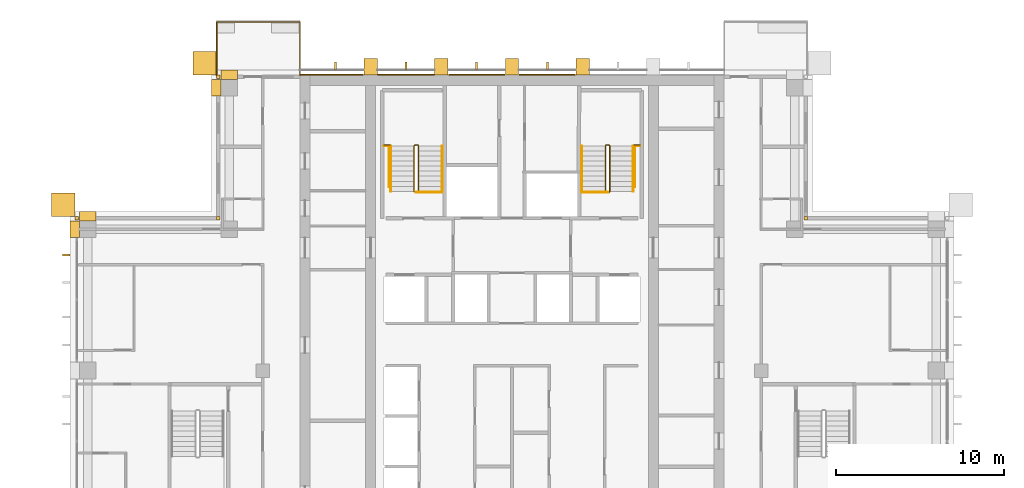
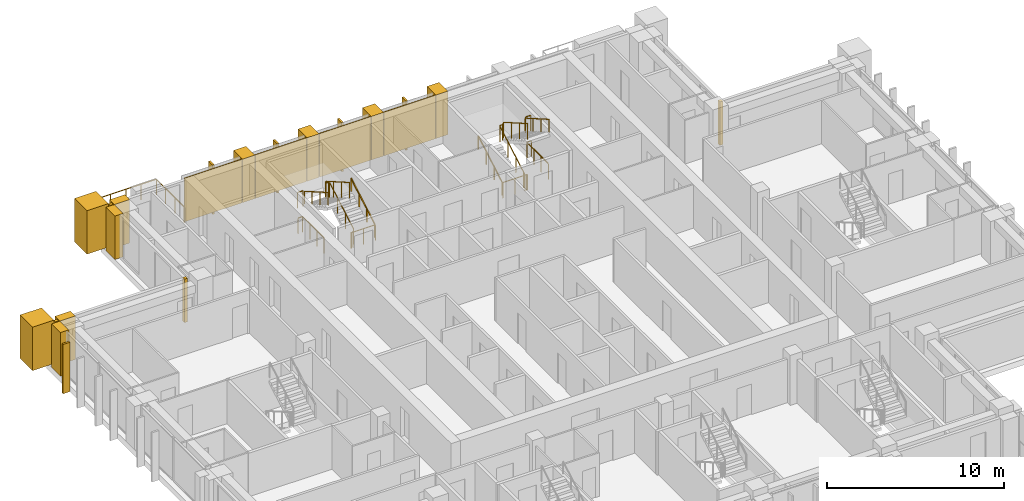
# One storey, part 18 of 19: 23 coverings, 13 railings.
"""IFC4 building model written with IfcOpenShell, lengths in metres."""

from ifc_helpers import new_model, si_unit, direction, frame, origin, origin_2d, place, context, subcontext, project, spatial, polyline, rectangle, outline, extrude, material, layer, layer_set, type_object, element, save


model = new_model("IFC4")

# Units and contexts
model_context = context("Model", 3, precision=1e-05, world=origin(), true_north=direction((0.0, 1.0)))
body_context = subcontext(model_context, "Body", "Model", "MODEL_VIEW")
ifc_project = project(units=[si_unit("LENGTHUNIT", "METRE"), si_unit("AREAUNIT", "SQUARE_METRE"), si_unit("VOLUMEUNIT", "CUBIC_METRE"), si_unit("PLANEANGLEUNIT", "RADIAN"), si_unit("MASSUNIT", "GRAM", prefix="KILO")], contexts=[model_context])

# Site, building, storey
site_placement = place(None, origin())
site = spatial("IfcSite", under=ifc_project, at=site_placement, CompositionType="ELEMENT")
building_placement = place(site_placement, origin())
building = spatial("IfcBuilding", under=site, at=building_placement, Name="Vermilion Ogive Tower", CompositionType="ELEMENT")
storey_placement = place(building_placement, frame((0.0, 0.0, 213.5)))
storey = spatial("IfcBuildingStorey", under=building, at=storey_placement, Name="L56", CompositionType="ELEMENT", Elevation=213.5)

# Railing
ifc_material_1 = material(Name="Stainless steel and glass", Category="steel")
railing_type_1 = type_object("IfcRailingType", Name="Balcony guard", PredefinedType="GUARDRAIL", material=ifc_material_1)
railing_1_placement = place(storey_placement, frame((-12.60009765625, 21.75, -0.0400390625)))
element("IfcRailing", 1, at=railing_1_placement, inside=storey, type_object=railing_type_1, Name="Guard N201", PredefinedType="GUARDRAIL", context=body_context, shape_type="SweptSolid", body=[
    extrude(rectangle(XDim=0.048095703125, YDim=0.048095703125, at=origin_2d()), frame((0.0, 0.0, 1.076171875), z_axis=(0.0, 1.0, 0.0), x_axis=(-1.0, 0.0, 0.0)), (0.0, 0.0, 1.0), 3.159912109375),
    extrude(rectangle(XDim=0.048095703125, YDim=0.048095703125, at=origin_2d()), frame((0.0, 3.159912109375, 1.076171875), z_axis=(-1.0, 0.0, 0.0), x_axis=(0.0, -1.0, 0.0)), (0.0, 0.0, 1.0), 4.949951171875),
    extrude(rectangle(XDim=0.048095703125, YDim=0.048095703125, at=origin_2d()), frame((-4.949951171875, 3.159912109375, 1.076171875), z_axis=(0.0, -1.0, 0.0), x_axis=(1.0, 0.0, 0.0)), (0.0, 0.0, 1.0), 3.159912109375),
    extrude(rectangle(XDim=0.0419921875, YDim=0.0419921875, at=origin_2d()), origin(), (0.0, 0.0, 1.0), 1.052001953125),
    extrude(rectangle(XDim=0.0419921875, YDim=0.0419921875, at=origin_2d()), frame((0.0, 1.05322265625, 0.0)), (0.0, 0.0, 1.0), 1.052001953125),
    extrude(rectangle(XDim=0.0419921875, YDim=0.0419921875, at=origin_2d()), frame((0.0, 2.106689453125, 0.0)), (0.0, 0.0, 1.0), 1.052001953125),
    extrude(rectangle(XDim=0.0419921875, YDim=0.0419921875, at=origin_2d()), frame((0.0, 3.159912109375, 0.0)), (0.0, 0.0, 1.0), 1.052001953125),
    extrude(rectangle(XDim=0.0419921875, YDim=0.0419921875, at=origin_2d()), frame((-0.989990234375, 3.159912109375, 0.0)), (0.0, 0.0, 1.0), 1.052001953125),
    extrude(rectangle(XDim=0.0419921875, YDim=0.0419921875, at=origin_2d()), frame((-1.97998046875, 3.159912109375, 0.0)), (0.0, 0.0, 1.0), 1.052001953125),
    extrude(rectangle(XDim=0.0419921875, YDim=0.0419921875, at=origin_2d()), frame((-2.969970703125, 3.159912109375, 0.0)), (0.0, 0.0, 1.0), 1.052001953125),
    extrude(rectangle(XDim=0.0419921875, YDim=0.0419921875, at=origin_2d()), frame((-3.9599609375, 3.159912109375, 0.0)), (0.0, 0.0, 1.0), 1.052001953125),
    extrude(rectangle(XDim=0.0419921875, YDim=0.0419921875, at=origin_2d()), frame((-4.949951171875, 3.159912109375, 0.0)), (0.0, 0.0, 1.0), 1.052001953125),
    extrude(rectangle(XDim=0.0419921875, YDim=0.0419921875, at=origin_2d()), frame((-4.949951171875, 2.106689453125, 0.0)), (0.0, 0.0, 1.0), 1.052001953125),
    extrude(rectangle(XDim=0.0419921875, YDim=0.0419921875, at=origin_2d()), frame((-4.949951171875, 1.05322265625, 0.0)), (0.0, 0.0, 1.0), 1.052001953125),
    extrude(rectangle(XDim=0.0419921875, YDim=0.0419921875, at=origin_2d()), frame((-4.949951171875, 0.0, 0.0)), (0.0, 0.0, 1.0), 1.052001953125),
])

# Coverings
ifc_material_2 = material(Name="Glazed ceramic screen")
ifc_layer = layer(ifc_material_2, 0.14990234375)
ifc_layer_set = layer_set([ifc_layer], Name="Ceramic solar screen fin")
covering_type_1 = type_object("IfcCoveringType", Name="Ceramic solar screen fin", PredefinedType="CLADDING", material=ifc_layer_set)
covering_1_placement = place(storey_placement, frame((0.0, 0.0, -0.39990234375)))
element("IfcCovering", 2, at=covering_1_placement, inside=storey, type_object=covering_type_1, Name="Solar screen blade W021", PredefinedType="CLADDING", context=body_context, shape_type="SweptSolid", body=[
    extrude(outline(polyline([(-26.699951171875, 11.135009765625), (-26.699951171875, 11.014892578125), (-26.25, 11.014892578125), (-26.25, 11.135009765625), (-26.699951171875, 11.135009765625)])), origin(), (0.0, 0.0, 1.0), 3.39990234375),
])
covering_2_placement = place(storey_placement, frame((0.0, 0.0, -0.39990234375)))
element("IfcCovering", 3, at=covering_2_placement, inside=storey, type_object=covering_type_1, Name="Solar screen blade N1", PredefinedType="CLADDING", context=body_context, shape_type="SweptSolid", body=[
    extrude(outline(polyline([(-10.56005859375, 22.08203125), (-10.43994140625, 22.08203125), (-10.43994140625, 22.531982421875), (-10.56005859375, 22.531982421875), (-10.56005859375, 22.08203125)])), origin(), (0.0, 0.0, 1.0), 3.39990234375),
])
covering_3_placement = place(storey_placement, frame((0.0, 0.0, -0.39990234375)))
element("IfcCovering", 4, at=covering_3_placement, inside=storey, type_object=covering_type_1, Name="Solar screen blade N2", PredefinedType="CLADDING", context=body_context, shape_type="SweptSolid", body=[
    extrude(outline(polyline([(-6.360107421875, 22.08203125), (-6.239990234375, 22.08203125), (-6.239990234375, 22.531982421875), (-6.360107421875, 22.531982421875), (-6.360107421875, 22.08203125)])), origin(), (0.0, 0.0, 1.0), 3.39990234375),
])
covering_4_placement = place(storey_placement, frame((0.0, 0.0, -0.39990234375)))
element("IfcCovering", 5, at=covering_4_placement, inside=storey, type_object=covering_type_1, Name="Solar screen blade N3", PredefinedType="CLADDING", context=body_context, shape_type="SweptSolid", body=[
    extrude(outline(polyline([(-2.159912109375, 22.08203125), (-2.0400390625, 22.08203125), (-2.0400390625, 22.531982421875), (-2.159912109375, 22.531982421875), (-2.159912109375, 22.08203125)])), origin(), (0.0, 0.0, 1.0), 3.39990234375),
])
covering_5_placement = place(storey_placement, frame((0.0, 0.0, -0.39990234375)))
element("IfcCovering", 6, at=covering_5_placement, inside=storey, type_object=covering_type_1, Name="Solar screen blade N4", PredefinedType="CLADDING", context=body_context, shape_type="SweptSolid", body=[
    extrude(outline(polyline([(2.0400390625, 22.08203125), (2.159912109375, 22.08203125), (2.159912109375, 22.531982421875), (2.0400390625, 22.531982421875), (2.0400390625, 22.08203125)])), origin(), (0.0, 0.0, 1.0), 3.39990234375),
])

# Railings
ifc_material_3 = material(Name="Steel S355 painted", Category="steel")
railing_type_2 = type_object("IfcRailingType", Name="Stair guard 1100", PredefinedType="GUARDRAIL", material=ifc_material_3)
railing_2_placement = place(storey_placement, frame((-5.75, 14.800048828125, 0.0)))
element("IfcRailing", 7, at=railing_2_placement, inside=storey, type_object=railing_type_2, Name="L56 ST1 stair guard 4", PredefinedType="GUARDRAIL", context=body_context, shape_type="SweptSolid", body=[
    extrude(rectangle(XDim=0.048095703125, YDim=0.048095703125, at=origin_2d()), frame((0.0, 0.0, 1.076171875), z_axis=(1.0, 0.0, 0.0), x_axis=(0.0, 1.0, 0.0)), (0.0, 0.0, 1.0), 0.14990234375),
    extrude(rectangle(XDim=0.048095703125, YDim=0.048095703125, at=origin_2d()), frame((0.14990234375, 0.0, 1.076171875), z_axis=(0.268277960024, 0.268277960024, 0.925231793839), x_axis=(-0.707106781187, 0.707106781187, 0.0)), (0.0, 0.0, 1.0), 0.1865234375),
    extrude(rectangle(XDim=0.048095703125, YDim=0.048095703125, at=origin_2d()), frame((0.199951171875, 0.050048828125, 1.24853515625), z_axis=(0.0, 0.866903762492, 0.498475542607), x_axis=(-1.0, 0.0, 0.0)), (0.0, 0.0, 1.0), 3.114501953125),
    extrude(rectangle(XDim=0.048095703125, YDim=0.048095703125, at=origin_2d()), frame((0.199951171875, 2.75, 2.80126953125), z_axis=(-0.707106781187, 0.707106781187, 0.0), x_axis=(-0.707106781187, -0.707106781187, 0.0)), (0.0, 0.0, 1.0), 0.07080078125),
    extrude(rectangle(XDim=0.048095703125, YDim=0.048095703125, at=origin_2d()), frame((0.14990234375, 2.800048828125, 2.80126953125), z_axis=(-1.0, 0.0, 0.0), x_axis=(0.0, -1.0, 0.0)), (0.0, 0.0, 1.0), 0.14990234375),
    extrude(rectangle(XDim=0.048095703125, YDim=0.048095703125, at=origin_2d()), frame((0.0, 2.800048828125, 2.80126953125), z_axis=(-0.268603158521, -0.268603158521, 0.925043072762), x_axis=(0.707106781187, -0.707106781187, 0.0)), (0.0, 0.0, 1.0), 0.186279296875),
    extrude(rectangle(XDim=0.048095703125, YDim=0.048095703125, at=origin_2d()), frame((-0.050048828125, 2.75, 2.9736328125), z_axis=(0.0, -0.866903762492, 0.498475542607), x_axis=(1.0, 0.0, 0.0)), (0.0, 0.0, 1.0), 3.114501953125),
    extrude(rectangle(XDim=0.0419921875, YDim=0.0419921875, at=origin_2d()), origin(), (0.0, 0.0, 1.0), 1.052001953125),
    extrude(rectangle(XDim=0.0419921875, YDim=0.0419921875, at=origin_2d()), frame((0.14990234375, 0.0, 0.0)), (0.0, 0.0, 1.0), 1.052001953125),
    extrude(rectangle(XDim=0.0419921875, YDim=0.0419921875, at=origin_2d()), frame((0.199951171875, 0.050048828125, 0.172607421875)), (0.0, 0.0, 1.0), 1.052001953125),
    extrude(rectangle(XDim=0.0419921875, YDim=0.0419921875, at=origin_2d()), frame((0.199951171875, 0.949951171875, 0.690185546875)), (0.0, 0.0, 1.0), 1.052001953125),
    extrude(rectangle(XDim=0.0419921875, YDim=0.0419921875, at=origin_2d()), frame((0.199951171875, 1.85009765625, 1.20751953125)), (0.0, 0.0, 1.0), 1.052001953125),
    extrude(rectangle(XDim=0.0419921875, YDim=0.0419921875, at=origin_2d()), frame((0.199951171875, 2.75, 1.72509765625)), (0.0, 0.0, 1.0), 1.052001953125),
    extrude(rectangle(XDim=0.0419921875, YDim=0.0419921875, at=origin_2d()), frame((0.14990234375, 2.800048828125, 1.72509765625)), (0.0, 0.0, 1.0), 1.052001953125),
    extrude(rectangle(XDim=0.0419921875, YDim=0.0419921875, at=origin_2d()), frame((0.0, 2.800048828125, 1.72509765625)), (0.0, 0.0, 1.0), 1.052001953125),
    extrude(rectangle(XDim=0.0419921875, YDim=0.0419921875, at=origin_2d()), frame((-0.050048828125, 2.75, 1.8974609375)), (0.0, 0.0, 1.0), 1.052001953125),
    extrude(rectangle(XDim=0.0419921875, YDim=0.0419921875, at=origin_2d()), frame((-0.050048828125, 1.85009765625, 2.4150390625)), (0.0, 0.0, 1.0), 1.052001953125),
    extrude(rectangle(XDim=0.0419921875, YDim=0.0419921875, at=origin_2d()), frame((-0.050048828125, 0.949951171875, 2.932373046875)), (0.0, 0.0, 1.0), 1.052001953125),
    extrude(rectangle(XDim=0.0419921875, YDim=0.0419921875, at=origin_2d()), frame((-0.050048828125, 0.050048828125, 3.449951171875)), (0.0, 0.0, 1.0), 1.052001953125),
])
railing_3_placement = place(storey_placement, frame((5.75, 14.800048828125, 0.0)))
element("IfcRailing", 8, at=railing_3_placement, inside=storey, type_object=railing_type_2, Name="L56 ST2 stair guard 4", PredefinedType="GUARDRAIL", context=body_context, shape_type="SweptSolid", body=[
    extrude(rectangle(XDim=0.048095703125, YDim=0.048095703125, at=origin_2d()), frame((0.0, 0.0, 1.076171875), z_axis=(-1.0, 0.0, 0.0), x_axis=(0.0, -1.0, 0.0)), (0.0, 0.0, 1.0), 0.14990234375),
    extrude(rectangle(XDim=0.048095703125, YDim=0.048095703125, at=origin_2d()), frame((-0.14990234375, 0.0, 1.076171875), z_axis=(-0.268277960024, 0.268277960024, 0.925231793839), x_axis=(-0.707106781187, -0.707106781187, 0.0)), (0.0, 0.0, 1.0), 0.1865234375),
    extrude(rectangle(XDim=0.048095703125, YDim=0.048095703125, at=origin_2d()), frame((-0.199951171875, 0.050048828125, 1.24853515625), z_axis=(0.0, 0.866903762492, 0.498475542607), x_axis=(-1.0, 0.0, 0.0)), (0.0, 0.0, 1.0), 3.114501953125),
    extrude(rectangle(XDim=0.048095703125, YDim=0.048095703125, at=origin_2d()), frame((-0.199951171875, 2.75, 2.80126953125), z_axis=(0.707106781187, 0.707106781187, 0.0), x_axis=(-0.707106781187, 0.707106781187, 0.0)), (0.0, 0.0, 1.0), 0.07080078125),
    extrude(rectangle(XDim=0.048095703125, YDim=0.048095703125, at=origin_2d()), frame((-0.14990234375, 2.800048828125, 2.80126953125), z_axis=(1.0, 0.0, 0.0), x_axis=(0.0, 1.0, 0.0)), (0.0, 0.0, 1.0), 0.14990234375),
    extrude(rectangle(XDim=0.048095703125, YDim=0.048095703125, at=origin_2d()), frame((0.0, 2.800048828125, 2.80126953125), z_axis=(0.268603158521, -0.268603158521, 0.925043072762), x_axis=(0.707106781187, 0.707106781187, 0.0)), (0.0, 0.0, 1.0), 0.186279296875),
    extrude(rectangle(XDim=0.048095703125, YDim=0.048095703125, at=origin_2d()), frame((0.050048828125, 2.75, 2.9736328125), z_axis=(0.0, -0.866903762492, 0.498475542607), x_axis=(1.0, 0.0, 0.0)), (0.0, 0.0, 1.0), 3.114501953125),
    extrude(rectangle(XDim=0.0419921875, YDim=0.0419921875, at=origin_2d()), origin(), (0.0, 0.0, 1.0), 1.052001953125),
    extrude(rectangle(XDim=0.0419921875, YDim=0.0419921875, at=origin_2d()), frame((-0.14990234375, 0.0, 0.0)), (0.0, 0.0, 1.0), 1.052001953125),
    extrude(rectangle(XDim=0.0419921875, YDim=0.0419921875, at=origin_2d()), frame((-0.199951171875, 0.050048828125, 0.172607421875)), (0.0, 0.0, 1.0), 1.052001953125),
    extrude(rectangle(XDim=0.0419921875, YDim=0.0419921875, at=origin_2d()), frame((-0.199951171875, 0.949951171875, 0.690185546875)), (0.0, 0.0, 1.0), 1.052001953125),
    extrude(rectangle(XDim=0.0419921875, YDim=0.0419921875, at=origin_2d()), frame((-0.199951171875, 1.85009765625, 1.20751953125)), (0.0, 0.0, 1.0), 1.052001953125),
    extrude(rectangle(XDim=0.0419921875, YDim=0.0419921875, at=origin_2d()), frame((-0.199951171875, 2.75, 1.72509765625)), (0.0, 0.0, 1.0), 1.052001953125),
    extrude(rectangle(XDim=0.0419921875, YDim=0.0419921875, at=origin_2d()), frame((-0.14990234375, 2.800048828125, 1.72509765625)), (0.0, 0.0, 1.0), 1.052001953125),
    extrude(rectangle(XDim=0.0419921875, YDim=0.0419921875, at=origin_2d()), frame((0.0, 2.800048828125, 1.72509765625)), (0.0, 0.0, 1.0), 1.052001953125),
    extrude(rectangle(XDim=0.0419921875, YDim=0.0419921875, at=origin_2d()), frame((0.050048828125, 2.75, 1.8974609375)), (0.0, 0.0, 1.0), 1.052001953125),
    extrude(rectangle(XDim=0.0419921875, YDim=0.0419921875, at=origin_2d()), frame((0.050048828125, 1.85009765625, 2.4150390625)), (0.0, 0.0, 1.0), 1.052001953125),
    extrude(rectangle(XDim=0.0419921875, YDim=0.0419921875, at=origin_2d()), frame((0.050048828125, 0.949951171875, 2.932373046875)), (0.0, 0.0, 1.0), 1.052001953125),
    extrude(rectangle(XDim=0.0419921875, YDim=0.0419921875, at=origin_2d()), frame((0.050048828125, 0.050048828125, 3.449951171875)), (0.0, 0.0, 1.0), 1.052001953125),
])
for number, where, name in (
    (9, (-7.60009765625, 17.60009765625, 1.72509765625), "L56 landing guard"),
    (10, (7.25, 17.60009765625, 1.72509765625), "L56 landing guard"),
):
    element("IfcRailing", number, at=place(storey_placement, frame(where)), inside=storey, type_object=railing_type_2, Name=name, PredefinedType="GUARDRAIL", context=body_context, shape_type="SweptSolid", body=[
        extrude(rectangle(XDim=0.048095703125, YDim=0.048095703125, at=origin_2d()), frame((0.0, 0.0, 1.076171875), z_axis=(1.0, 0.0, 0.0), x_axis=(0.0, 1.0, 0.0)), (0.0, 0.0, 1.0), 0.35009765625),
        extrude(rectangle(XDim=0.0419921875, YDim=0.0419921875, at=origin_2d()), origin(), (0.0, 0.0, 1.0), 1.052001953125),
        extrude(rectangle(XDim=0.0419921875, YDim=0.0419921875, at=origin_2d()), frame((0.35009765625, 0.0, 0.0)), (0.0, 0.0, 1.0), 1.052001953125),
    ])
railing_4_placement = place(storey_placement, frame((-4.159912109375, 14.7900390625, 0.0)))
element("IfcRailing", 11, at=railing_4_placement, inside=storey, type_object=railing_type_2, Name="L56 stair opening guard", PredefinedType="GUARDRAIL", context=body_context, shape_type="SweptSolid", body=[
    extrude(rectangle(XDim=0.048095703125, YDim=0.048095703125, at=origin_2d()), frame((0.0, 0.0, 1.076171875), z_axis=(-1.0, 0.0, 0.0), x_axis=(0.0, -1.0, 0.0)), (0.0, 0.0, 1.0), 1.5400390625),
    extrude(rectangle(XDim=0.0419921875, YDim=0.0419921875, at=origin_2d()), origin(), (0.0, 0.0, 1.0), 1.052001953125),
    extrude(rectangle(XDim=0.0419921875, YDim=0.0419921875, at=origin_2d()), frame((-0.77001953125, 0.0, 0.0)), (0.0, 0.0, 1.0), 1.052001953125),
    extrude(rectangle(XDim=0.0419921875, YDim=0.0419921875, at=origin_2d()), frame((-1.5400390625, 0.0, 0.0)), (0.0, 0.0, 1.0), 1.052001953125),
])
railing_5_placement = place(storey_placement, frame((-7.3095703125, 15.11865234375, 0.0)))
element("IfcRailing", 12, at=railing_5_placement, inside=storey, type_object=railing_type_2, Name="L56 stair opening guard", PredefinedType="GUARDRAIL", context=body_context, shape_type="SweptSolid", body=[
    extrude(rectangle(XDim=0.048095703125, YDim=0.048095703125, at=origin_2d()), frame((0.0, 0.0, 1.076171875), z_axis=(0.0, 1.0, 0.0), x_axis=(-1.0, 0.0, 0.0)), (0.0, 0.0, 1.0), 2.42431640625),
    extrude(rectangle(XDim=0.048095703125, YDim=0.048095703125, at=origin_2d()), frame((0.0, 2.42431640625, 1.076171875), z_axis=(-1.0, 0.0, 0.0), x_axis=(0.0, -1.0, 0.0)), (0.0, 0.0, 1.0), 0.2900390625),
    extrude(rectangle(XDim=0.0419921875, YDim=0.0419921875, at=origin_2d()), origin(), (0.0, 0.0, 1.0), 1.052001953125),
    extrude(rectangle(XDim=0.0419921875, YDim=0.0419921875, at=origin_2d()), frame((0.0, 0.80810546875, 0.0)), (0.0, 0.0, 1.0), 1.052001953125),
    extrude(rectangle(XDim=0.0419921875, YDim=0.0419921875, at=origin_2d()), frame((0.0, 1.6162109375, 0.0)), (0.0, 0.0, 1.0), 1.052001953125),
    extrude(rectangle(XDim=0.0419921875, YDim=0.0419921875, at=origin_2d()), frame((0.0, 2.42431640625, 0.0)), (0.0, 0.0, 1.0), 1.052001953125),
    extrude(rectangle(XDim=0.0419921875, YDim=0.0419921875, at=origin_2d()), frame((-0.2900390625, 2.42431640625, 0.0)), (0.0, 0.0, 1.0), 1.052001953125),
])
railing_6_placement = place(storey_placement, frame((7.599609375, 17.54296875, 0.0)))
element("IfcRailing", 13, at=railing_6_placement, inside=storey, type_object=railing_type_2, Name="L56 stair opening guard", PredefinedType="GUARDRAIL", context=body_context, shape_type="SweptSolid", body=[
    extrude(rectangle(XDim=0.048095703125, YDim=0.048095703125, at=origin_2d()), frame((0.0, 0.0, 1.076171875), z_axis=(-1.0, 0.0, 0.0), x_axis=(0.0, -1.0, 0.0)), (0.0, 0.0, 1.0), 0.2900390625),
    extrude(rectangle(XDim=0.048095703125, YDim=0.048095703125, at=origin_2d()), frame((-0.2900390625, 0.0, 1.076171875), z_axis=(0.0, -1.0, 0.0), x_axis=(1.0, 0.0, 0.0)), (0.0, 0.0, 1.0), 2.42431640625),
    extrude(rectangle(XDim=0.0419921875, YDim=0.0419921875, at=origin_2d()), origin(), (0.0, 0.0, 1.0), 1.052001953125),
    extrude(rectangle(XDim=0.0419921875, YDim=0.0419921875, at=origin_2d()), frame((-0.2900390625, 0.0, 0.0)), (0.0, 0.0, 1.0), 1.052001953125),
    extrude(rectangle(XDim=0.0419921875, YDim=0.0419921875, at=origin_2d()), frame((-0.2900390625, -0.80810546875, 0.0)), (0.0, 0.0, 1.0), 1.052001953125),
    extrude(rectangle(XDim=0.0419921875, YDim=0.0419921875, at=origin_2d()), frame((-0.2900390625, -1.6162109375, 0.0)), (0.0, 0.0, 1.0), 1.052001953125),
    extrude(rectangle(XDim=0.0419921875, YDim=0.0419921875, at=origin_2d()), frame((-0.2900390625, -2.42431640625, 0.0)), (0.0, 0.0, 1.0), 1.052001953125),
])
railing_7_placement = place(storey_placement, frame((5.699951171875, 14.7900390625, 0.0)))
element("IfcRailing", 14, at=railing_7_placement, inside=storey, type_object=railing_type_2, Name="L56 stair opening guard", PredefinedType="GUARDRAIL", context=body_context, shape_type="SweptSolid", body=[
    extrude(rectangle(XDim=0.048095703125, YDim=0.048095703125, at=origin_2d()), frame((0.0, 0.0, 1.076171875), z_axis=(-1.0, 0.0, 0.0), x_axis=(0.0, -1.0, 0.0)), (0.0, 0.0, 1.0), 1.5400390625),
    extrude(rectangle(XDim=0.0419921875, YDim=0.0419921875, at=origin_2d()), origin(), (0.0, 0.0, 1.0), 1.052001953125),
    extrude(rectangle(XDim=0.0419921875, YDim=0.0419921875, at=origin_2d()), frame((-0.77001953125, 0.0, 0.0)), (0.0, 0.0, 1.0), 1.052001953125),
    extrude(rectangle(XDim=0.0419921875, YDim=0.0419921875, at=origin_2d()), frame((-1.5400390625, 0.0, 0.0)), (0.0, 0.0, 1.0), 1.052001953125),
])
ifc_material_4 = material(Name="Stainless steel", Category="steel")
railing_type_3 = type_object("IfcRailingType", Name="Stair handrail 900", PredefinedType="HANDRAIL", material=ifc_material_4)
railing_8_placement = place(storey_placement, frame((-4.14990234375, 14.85009765625, 0.172607421875)))
element("IfcRailing", 15, at=railing_8_placement, inside=storey, type_object=railing_type_3, Name="L56 ST1 stair handrail 1", PredefinedType="HANDRAIL", context=body_context, shape_type="SweptSolid", body=[
    extrude(rectangle(XDim=0.048095703125, YDim=0.048095703125, at=origin_2d()), frame((0.0, 0.0, 0.8759765625), z_axis=(0.0, 0.866903762492, 0.498475542607), x_axis=(-1.0, 0.0, 0.0)), (0.0, 0.0, 1.0), 3.114501953125),
    extrude(rectangle(XDim=0.0419921875, YDim=0.0419921875, at=origin_2d()), origin(), (0.0, 0.0, 1.0), 0.851806640625),
    extrude(rectangle(XDim=0.0419921875, YDim=0.0419921875, at=origin_2d()), frame((0.0, 0.89990234375, 0.517578125)), (0.0, 0.0, 1.0), 0.851806640625),
    extrude(rectangle(XDim=0.0419921875, YDim=0.0419921875, at=origin_2d()), frame((0.0, 1.800048828125, 1.034912109375)), (0.0, 0.0, 1.0), 0.851806640625),
    extrude(rectangle(XDim=0.0419921875, YDim=0.0419921875, at=origin_2d()), frame((0.0, 2.699951171875, 1.552490234375)), (0.0, 0.0, 1.0), 0.851806640625),
])
railing_9_placement = place(storey_placement, frame((-7.199951171875, 17.550048828125, 1.8974609375)))
element("IfcRailing", 16, at=railing_9_placement, inside=storey, type_object=railing_type_3, Name="L56 ST1 stair handrail 2", PredefinedType="HANDRAIL", context=body_context, shape_type="SweptSolid", body=[
    extrude(rectangle(XDim=0.048095703125, YDim=0.048095703125, at=origin_2d()), frame((0.0, 0.0, 0.8759765625), z_axis=(0.0, -0.866903762492, 0.498475542607), x_axis=(1.0, 0.0, 0.0)), (0.0, 0.0, 1.0), 3.114501953125),
    extrude(rectangle(XDim=0.0419921875, YDim=0.0419921875, at=origin_2d()), origin(), (0.0, 0.0, 1.0), 0.851806640625),
    extrude(rectangle(XDim=0.0419921875, YDim=0.0419921875, at=origin_2d()), frame((0.0, -0.89990234375, 0.517578125)), (0.0, 0.0, 1.0), 0.851806640625),
    extrude(rectangle(XDim=0.0419921875, YDim=0.0419921875, at=origin_2d()), frame((0.0, -1.800048828125, 1.034912109375)), (0.0, 0.0, 1.0), 0.851806640625),
    extrude(rectangle(XDim=0.0419921875, YDim=0.0419921875, at=origin_2d()), frame((0.0, -2.699951171875, 1.552490234375)), (0.0, 0.0, 1.0), 0.851806640625),
])
railing_10_placement = place(storey_placement, frame((4.14990234375, 14.85009765625, 0.172607421875)))
element("IfcRailing", 17, at=railing_10_placement, inside=storey, type_object=railing_type_3, Name="L56 ST2 stair handrail 1", PredefinedType="HANDRAIL", context=body_context, shape_type="SweptSolid", body=[
    extrude(rectangle(XDim=0.048095703125, YDim=0.048095703125, at=origin_2d()), frame((0.0, 0.0, 0.8759765625), z_axis=(0.0, 0.866903762492, 0.498475542607), x_axis=(-1.0, 0.0, 0.0)), (0.0, 0.0, 1.0), 3.114501953125),
    extrude(rectangle(XDim=0.0419921875, YDim=0.0419921875, at=origin_2d()), origin(), (0.0, 0.0, 1.0), 0.851806640625),
    extrude(rectangle(XDim=0.0419921875, YDim=0.0419921875, at=origin_2d()), frame((0.0, 0.89990234375, 0.517578125)), (0.0, 0.0, 1.0), 0.851806640625),
    extrude(rectangle(XDim=0.0419921875, YDim=0.0419921875, at=origin_2d()), frame((0.0, 1.800048828125, 1.034912109375)), (0.0, 0.0, 1.0), 0.851806640625),
    extrude(rectangle(XDim=0.0419921875, YDim=0.0419921875, at=origin_2d()), frame((0.0, 2.699951171875, 1.552490234375)), (0.0, 0.0, 1.0), 0.851806640625),
])
railing_11_placement = place(storey_placement, frame((7.199951171875, 17.550048828125, 1.8974609375)))
element("IfcRailing", 18, at=railing_11_placement, inside=storey, type_object=railing_type_3, Name="L56 ST2 stair handrail 2", PredefinedType="HANDRAIL", context=body_context, shape_type="SweptSolid", body=[
    extrude(rectangle(XDim=0.048095703125, YDim=0.048095703125, at=origin_2d()), frame((0.0, 0.0, 0.8759765625), z_axis=(0.0, -0.866903762492, 0.498475542607), x_axis=(1.0, 0.0, 0.0)), (0.0, 0.0, 1.0), 3.114501953125),
    extrude(rectangle(XDim=0.0419921875, YDim=0.0419921875, at=origin_2d()), origin(), (0.0, 0.0, 1.0), 0.851806640625),
    extrude(rectangle(XDim=0.0419921875, YDim=0.0419921875, at=origin_2d()), frame((0.0, -0.89990234375, 0.517578125)), (0.0, 0.0, 1.0), 0.851806640625),
    extrude(rectangle(XDim=0.0419921875, YDim=0.0419921875, at=origin_2d()), frame((0.0, -1.800048828125, 1.034912109375)), (0.0, 0.0, 1.0), 0.851806640625),
    extrude(rectangle(XDim=0.0419921875, YDim=0.0419921875, at=origin_2d()), frame((0.0, -2.699951171875, 1.552490234375)), (0.0, 0.0, 1.0), 0.851806640625),
])

# Coverings
ifc_material_5 = material(Name="Stone cladding", Category="masonry")
covering_type_2 = type_object("IfcCoveringType", Name="Stone buttress pier", PredefinedType="CLADDING", material=ifc_material_5)
covering_6_placement = place(storey_placement, origin())
element("IfcCovering", 19, at=covering_6_placement, inside=storey, type_object=covering_type_2, Name="Stone buttress pier N1", PredefinedType="CLADDING", context=body_context, shape_type="SweptSolid", body=[
    extrude(outline(polyline([(-8.800048828125, 21.75), (-8.0, 21.75), (-8.0, 22.75), (-8.800048828125, 22.75), (-8.800048828125, 21.75)])), origin(), (0.0, 0.0, 1.0), 3.0),
])
covering_7_placement = place(storey_placement, origin())
element("IfcCovering", 20, at=covering_7_placement, inside=storey, type_object=covering_type_2, Name="Stone buttress pier N2", PredefinedType="CLADDING", context=body_context, shape_type="SweptSolid", body=[
    extrude(outline(polyline([(-4.60009765625, 21.75), (-3.800048828125, 21.75), (-3.800048828125, 22.75), (-4.60009765625, 22.75), (-4.60009765625, 21.75)])), origin(), (0.0, 0.0, 1.0), 3.0),
])
covering_8_placement = place(storey_placement, origin())
element("IfcCovering", 21, at=covering_8_placement, inside=storey, type_object=covering_type_2, Name="Stone buttress pier N3", PredefinedType="CLADDING", context=body_context, shape_type="SweptSolid", body=[
    extrude(outline(polyline([(-0.39990234375, 21.75), (0.39990234375, 21.75), (0.39990234375, 22.75), (-0.39990234375, 22.75), (-0.39990234375, 21.75)])), origin(), (0.0, 0.0, 1.0), 3.0),
])
covering_9_placement = place(storey_placement, origin())
element("IfcCovering", 22, at=covering_9_placement, inside=storey, type_object=covering_type_2, Name="Stone buttress pier N4", PredefinedType="CLADDING", context=body_context, shape_type="SweptSolid", body=[
    extrude(outline(polyline([(3.800048828125, 21.75), (4.60009765625, 21.75), (4.60009765625, 22.75), (3.800048828125, 22.75), (3.800048828125, 21.75)])), origin(), (0.0, 0.0, 1.0), 3.0),
])
ifc_material_6 = material(Name="Stone cladding", Category="masonry")
covering_type_3 = type_object("IfcCoveringType", Name="Stone cladding panel", PredefinedType="CLADDING", material=ifc_material_6)
covering_10_placement = place(storey_placement, origin())
element("IfcCovering", 23, at=covering_10_placement, inside=storey, type_object=covering_type_3, Name="Stone cladding panel N1", PredefinedType="CLADDING", context=body_context, shape_type="SweptSolid", body=[
    extrude(outline(polyline([(-12.590087890625, 21.75), (-8.830078125, 21.75), (-8.830078125, 21.81005859375), (-12.590087890625, 21.81005859375), (-12.590087890625, 21.75)])), origin(), (0.0, 0.0, 1.0), 3.0),
])
covering_11_placement = place(storey_placement, origin())
element("IfcCovering", 24, at=covering_11_placement, inside=storey, type_object=covering_type_3, Name="Stone cladding panel N2", PredefinedType="CLADDING", context=body_context, shape_type="SweptSolid", body=[
    extrude(outline(polyline([(-7.969970703125, 21.75), (-4.6298828125, 21.75), (-4.6298828125, 21.81005859375), (-7.969970703125, 21.81005859375), (-7.969970703125, 21.75)])), origin(), (0.0, 0.0, 1.0), 3.0),
])
covering_12_placement = place(storey_placement, origin())
element("IfcCovering", 25, at=covering_12_placement, inside=storey, type_object=covering_type_3, Name="Stone cladding panel N3", PredefinedType="CLADDING", context=body_context, shape_type="SweptSolid", body=[
    extrude(outline(polyline([(-3.77001953125, 21.75), (-0.429931640625, 21.75), (-0.429931640625, 21.81005859375), (-3.77001953125, 21.81005859375), (-3.77001953125, 21.75)])), origin(), (0.0, 0.0, 1.0), 3.0),
])
covering_13_placement = place(storey_placement, origin())
element("IfcCovering", 26, at=covering_13_placement, inside=storey, type_object=covering_type_3, Name="Stone cladding panel N4", PredefinedType="CLADDING", context=body_context, shape_type="SweptSolid", body=[
    extrude(outline(polyline([(0.429931640625, 21.75), (3.77001953125, 21.75), (3.77001953125, 21.81005859375), (0.429931640625, 21.81005859375), (0.429931640625, 21.75)])), origin(), (0.0, 0.0, 1.0), 3.0),
])
ifc_material_7 = material(Name="Stone cladding", Category="masonry")
covering_type_4 = type_object("IfcCoveringType", Name="Stone corner buttress", PredefinedType="CLADDING", material=ifc_material_7)
covering_14_placement = place(storey_placement, origin())
element("IfcCovering", 27, at=covering_14_placement, inside=storey, type_object=covering_type_4, Name="Stone corner buttress X51", PredefinedType="CLADDING", context=body_context, shape_type="SweptSolid", body=[
    extrude(outline(polyline([(-18.949951171875, 21.75), (-18.949951171875, 23.14990234375), (-17.550048828125, 23.14990234375), (-17.550048828125, 22.050048828125), (-17.550048828125, 21.75), (-18.949951171875, 21.75)])), origin(), (0.0, 0.0, 1.0), 3.0),
])
covering_15_placement = place(storey_placement, origin())
element("IfcCovering", 28, at=covering_15_placement, inside=storey, type_object=covering_type_4, Name="Stone corner buttress W1", PredefinedType="CLADDING", context=body_context, shape_type="SweptSolid", body=[
    extrude(outline(polyline([(-27.35009765625, 14.75), (-25.949951171875, 14.75), (-25.949951171875, 13.35009765625), (-27.35009765625, 13.35009765625), (-27.35009765625, 14.75)])), origin(), (0.0, 0.0, 1.0), 3.0),
])
ifc_material_8 = material(Name="Stone cladding", Category="masonry")
covering_type_5 = type_object("IfcCoveringType", Name="Stone pier", PredefinedType="CLADDING", material=ifc_material_8)
covering_16_placement = place(storey_placement, origin())
element("IfcCovering", 29, at=covering_16_placement, inside=storey, type_object=covering_type_5, Name="Stone pier P-0168+210N2", PredefinedType="CLADDING", context=body_context, shape_type="SweptSolid", body=[
    extrude(outline(polyline([(-17.300048828125, 21.5), (-17.300048828125, 22.050048828125), (-16.300048828125, 22.050048828125), (-16.300048828125, 21.5), (-17.300048828125, 21.5), (-17.300048828125, 21.5)])), origin(), (0.0, 0.0, 1.0), 3.0),
])
covering_17_placement = place(storey_placement, origin())
element("IfcCovering", 30, at=covering_17_placement, inside=storey, type_object=covering_type_5, Name="Stone pier P-0168+210X5", PredefinedType="CLADDING", context=body_context, shape_type="SweptSolid", body=[
    extrude(outline(polyline([(-17.85009765625, 21.5), (-17.300048828125, 21.5), (-17.300048828125, 21.5), (-17.300048828125, 20.5), (-17.85009765625, 20.5), (-17.85009765625, 21.5)])), origin(), (0.0, 0.0, 1.0), 3.0),
])
covering_18_placement = place(storey_placement, origin())
element("IfcCovering", 31, at=covering_18_placement, inside=storey, type_object=covering_type_5, Name="Stone pier P-0252+126X6", PredefinedType="CLADDING", context=body_context, shape_type="SweptSolid", body=[
    extrude(outline(polyline([(-25.699951171875, 13.10009765625), (-25.699951171875, 13.64990234375), (-24.699951171875, 13.64990234375), (-24.699951171875, 13.10009765625), (-24.699951171875, 13.10009765625), (-25.699951171875, 13.10009765625)])), origin(), (0.0, 0.0, 1.0), 3.0),
])
covering_19_placement = place(storey_placement, origin())
element("IfcCovering", 32, at=covering_19_placement, inside=storey, type_object=covering_type_5, Name="Stone pier P-0252+126W", PredefinedType="CLADDING", context=body_context, shape_type="SweptSolid", body=[
    extrude(outline(polyline([(-26.25, 13.10009765625), (-25.699951171875, 13.10009765625), (-25.699951171875, 12.10009765625), (-26.25, 12.10009765625), (-26.25, 13.10009765625)])), origin(), (0.0, 0.0, 1.0), 3.0),
])
covering_20_placement = place(storey_placement, origin())
element("IfcCovering", 33, at=covering_20_placement, inside=storey, type_object=covering_type_5, Name="Stone corner pier X3E1", PredefinedType="CLADDING", context=body_context, shape_type="SweptSolid", body=[
    extrude(outline(polyline([(17.35009765625, 13.14990234375), (17.35009765625, 13.35009765625), (17.550048828125, 13.35009765625), (17.550048828125, 13.14990234375), (17.35009765625, 13.14990234375)])), origin(), (0.0, 0.0, 1.0), 3.0),
])
covering_21_placement = place(storey_placement, origin())
element("IfcCovering", 34, at=covering_21_placement, inside=storey, type_object=covering_type_5, Name="Stone corner pier N2E1", PredefinedType="CLADDING", context=body_context, shape_type="SweptSolid", body=[
    extrude(outline(polyline([(-17.35009765625, 21.550048828125), (-17.550048828125, 21.550048828125), (-17.550048828125, 21.75), (-17.35009765625, 21.75), (-17.35009765625, 21.550048828125)])), origin(), (0.0, 0.0, 1.0), 3.0),
])
covering_22_placement = place(storey_placement, origin())
element("IfcCovering", 35, at=covering_22_placement, inside=storey, type_object=covering_type_5, Name="Stone corner pier X5E1", PredefinedType="CLADDING", context=body_context, shape_type="SweptSolid", body=[
    extrude(outline(polyline([(-17.35009765625, 13.14990234375), (-17.550048828125, 13.14990234375), (-17.550048828125, 13.35009765625), (-17.35009765625, 13.35009765625), (-17.35009765625, 13.14990234375)])), origin(), (0.0, 0.0, 1.0), 3.0),
])
covering_23_placement = place(storey_placement, origin())
element("IfcCovering", 36, at=covering_23_placement, inside=storey, type_object=covering_type_5, Name="Stone corner pier X6E1", PredefinedType="CLADDING", context=body_context, shape_type="SweptSolid", body=[
    extrude(outline(polyline([(-25.75, 13.14990234375), (-25.949951171875, 13.14990234375), (-25.949951171875, 13.35009765625), (-25.75, 13.35009765625), (-25.75, 13.14990234375)])), origin(), (0.0, 0.0, 1.0), 3.0),
])

save(model, "model.ifc")
